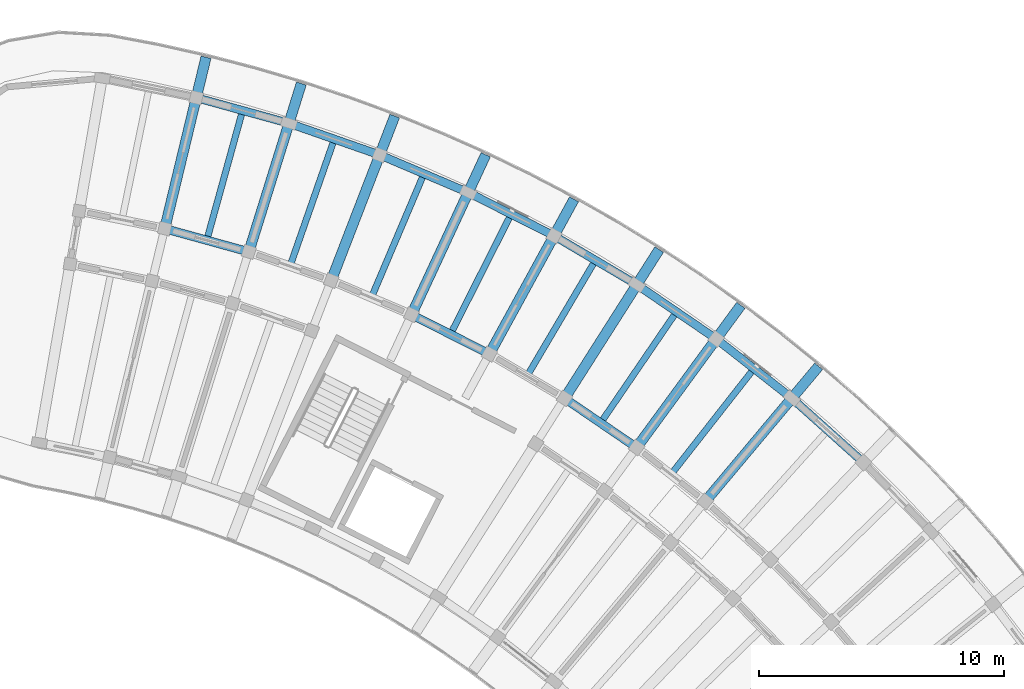
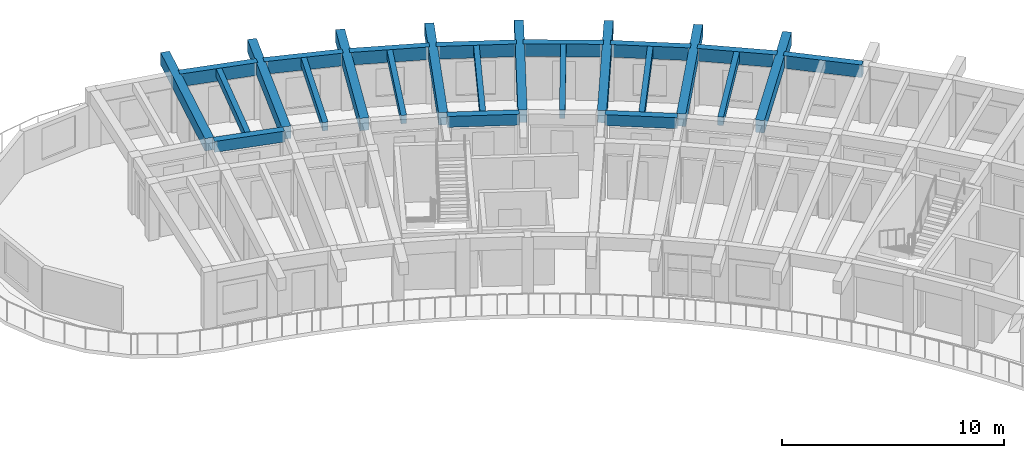
# One storey, part 15 of 56: 26 beams.
"""IFC4 building model written with IfcOpenShell, lengths in metres."""

from ifc_helpers import new_model, si_unit, direction, frame, origin, origin_2d, place, context, subcontext, project, spatial, rectangle, extrude, material, material_profile, profile_set, type_object, element, save


model = new_model("IFC4")

# Units and contexts
model_context = context("Model", 3, precision=1e-05, world=origin(), true_north=direction((0.0, 1.0)))
body_context = subcontext(model_context, "Body", "Model", "MODEL_VIEW")
ifc_project = project(units=[si_unit("LENGTHUNIT", "METRE"), si_unit("AREAUNIT", "SQUARE_METRE"), si_unit("VOLUMEUNIT", "CUBIC_METRE"), si_unit("PLANEANGLEUNIT", "RADIAN"), si_unit("MASSUNIT", "GRAM", prefix="KILO")], contexts=[model_context])

# Site, building, storey
site_placement = place(None, origin())
site = spatial("IfcSite", under=ifc_project, at=site_placement, CompositionType="ELEMENT")
building_placement = place(site_placement, origin())
building = spatial("IfcBuilding", under=site, at=building_placement, Name="Tanwirah Colonnade Gardens", CompositionType="ELEMENT")
storey_placement = place(building_placement, frame((0.0, 0.0, 29.0)))
storey = spatial("IfcBuildingStorey", under=building, at=storey_placement, Name="L08", CompositionType="ELEMENT", Elevation=29.0)

# Beams
ifc_material_1 = material(Name="Precast concrete C40/50", Category="concrete")
ifc_material_profile_1 = material_profile(ifc_material_1, rectangle(XDim=0.35009765625, YDim=0.60009765625, at=origin_2d()), Name="PC-BM 350x600")
ifc_profile_set_1 = profile_set([ifc_material_profile_1], Name="Precast concrete C40/50")
beam_type_1 = type_object("IfcBeamType", Name="BM-PC350B", PredefinedType="BEAM", material=ifc_profile_set_1)
for number, where, z_axis, x_axis, name in (
    (1, (152.815185546875, 103.888427734375, 2.81494140625), (-0.825782284145, 0.563989024, 0.0), (-0.563989024, -0.825782284145, 0.0), "Block B L08 Circumferential Beam 10-R2"),
    (2, (146.794677734375, 107.6923828125, 2.81494140625), (-0.89276014323, 0.450532270387, 0.0), (-0.450532270387, -0.89276014323, 0.0), "Block B L08 Circumferential Beam 12-R2"),
    (3, (136.95849609375, 111.83544921875, 2.81494140625), (-0.9638953302, 0.266281415833, 0.0), (-0.266281415833, -0.9638953302, 0.0), "Block B L08 Circumferential Beam 15-R2"),
):
    element("IfcBeam", number, at=place(storey_placement, frame(where, z_axis=z_axis, x_axis=x_axis)), inside=storey, type_object=beam_type_1, Name=name, PredefinedType="BEAM", context=body_context, shape_type="SweptSolid", body=[
        extrude(rectangle(XDim=0.35009765625, YDim=0.60009765625, at=origin_2d()), origin(), (0.0, 0.0, 1.0), 3.26318359375),
    ])
ifc_material_2 = material(Name="Precast concrete C45/55", Category="concrete")
ifc_material_profile_2 = material_profile(ifc_material_2, rectangle(XDim=0.419921875, YDim=0.679931640625, at=origin_2d()), Name="PC-BM 420x680")
ifc_profile_set_2 = profile_set([ifc_material_profile_2], Name="Precast concrete C45/55")
beam_type_2 = type_object("IfcBeamType", Name="BM-PC420", PredefinedType="BEAM", material=ifc_profile_set_2)
beam_1_placement = place(storey_placement, frame((155.839111328125, 101.7197265625, 2.77490234375), z_axis=(0.642810291951, 0.766025409867, 0.0), x_axis=(-0.766025409867, 0.642810291951, 0.0)))
element("IfcBeam", 4, at=beam_1_placement, inside=storey, type_object=beam_type_2, Name="Block B L08 Outer Radial Precast Girder 9", PredefinedType="BEAM", context=body_context, shape_type="SweptSolid", body=[
    extrude(rectangle(XDim=0.419921875, YDim=0.679931640625, at=origin_2d()), origin(), (0.0, 0.0, 1.0), 7.0498046875),
])
for number, where, z_axis, x_axis, name in (
    (5, (153.02783203125, 103.9248046875, 2.77490234375), (0.590919194225, 0.806730751798, 0.0), (-0.806730751798, 0.590919194225, 0.0), "Block B L08 Outer Radial Precast Girder 10"),
    (6, (150.077392578125, 105.93994140625, 2.77490234375), (0.536451921133, 0.843930883611, 0.0), (-0.843930883611, 0.536451921133, 0.0), "Block B L08 Outer Radial Precast Girder 11"),
    (7, (147.00048828125, 107.75634765625, 2.77490234375), (0.479686549155, 0.877439920769, 0.0), (-0.877439920769, 0.479686549155, 0.0), "Block B L08 Outer Radial Precast Girder 12"),
    (8, (143.810546875, 109.3662109375, 2.77490234375), (0.420855908645, 0.9071275016, 0.0), (-0.9071275016, 0.420855908645, 0.0), "Block B L08 Outer Radial Precast Girder 13"),
    (9, (140.521728515625, 110.76220703125, 2.77490234375), (0.360150678391, 0.932894146651, 0.0), (-0.932894146651, 0.360150678391, 0.0), "Block B L08 Outer Radial Precast Girder 14"),
    (10, (137.147705078125, 111.938720703125, 2.77490234375), (0.297957513373, 0.954579132511, 0.0), (-0.954579132511, 0.297957513373, 0.0), "Block B L08 Outer Radial Precast Girder 15"),
):
    element("IfcBeam", number, at=place(storey_placement, frame(where, z_axis=z_axis, x_axis=x_axis)), inside=storey, type_object=beam_type_2, Name=name, PredefinedType="BEAM", context=body_context, shape_type="SweptSolid", body=[
        extrude(rectangle(XDim=0.419921875, YDim=0.679931640625, at=origin_2d()), origin(), (0.0, 0.0, 1.0), 7.050048828125),
    ])
beam_2_placement = place(storey_placement, frame((133.703857421875, 112.89013671875, 2.77490234375), z_axis=(0.234378734126, 0.972145364125, 0.0), x_axis=(-0.972145364125, 0.234378734126, 0.0)))
element("IfcBeam", 11, at=beam_2_placement, inside=storey, type_object=beam_type_2, Name="Block B L08 Outer Radial Precast Girder 16", PredefinedType="BEAM", context=body_context, shape_type="SweptSolid", body=[
    extrude(rectangle(XDim=0.419921875, YDim=0.679931640625, at=origin_2d()), origin(), (0.0, 0.0, 1.0), 7.0498046875),
])
ifc_material_profile_3 = material_profile(ifc_material_1, rectangle(XDim=0.260009765625, YDim=0.4599609375, at=origin_2d()), Name="PC-JST 260x460")
ifc_profile_set_3 = profile_set([ifc_material_profile_3], Name="Precast concrete C40/50")
beam_type_3 = type_object("IfcBeamType", Name="JST-PC260", PredefinedType="JOIST", material=ifc_profile_set_3)
for number, where, z_axis, x_axis, name in (
    (12, (154.43310546875, 102.82177734375, 2.885009765625), (0.617177687243, 0.786823806433, 0.0), (-0.786823806433, 0.617177687243, 0.0), "Block B L08 Precast Floor Joist 9"),
    (13, (151.55224609375, 104.931884765625, 2.885009765625), (0.563973225998, 0.825793073571, 0.0), (-0.825793073571, 0.563973225998, 0.0), "Block B L08 Precast Floor Joist 10"),
):
    element("IfcBeam", number, at=place(storey_placement, frame(where, z_axis=z_axis, x_axis=x_axis)), inside=storey, type_object=beam_type_3, Name=name, PredefinedType="JOIST", context=body_context, shape_type="SweptSolid", body=[
        extrude(rectangle(XDim=0.260009765625, YDim=0.4599609375, at=origin_2d()), origin(), (0.0, 0.0, 1.0), 5.260009765625),
    ])
for number, where, z_axis, x_axis, name in (
    (14, (148.53857421875, 106.84765625, 2.885009765625), (0.508360236823, 0.86114451146, 0.0), (-0.86114451146, 0.508360236823, 0.0), "Block B L08 Precast Floor Joist 11"),
    (15, (145.4052734375, 108.560791015625, 2.885009765625), (0.450533699488, 0.892759422031, 0.0), (-0.892759422031, 0.450533699488, 0.0), "Block B L08 Precast Floor Joist 12"),
):
    element("IfcBeam", number, at=place(storey_placement, frame(where, z_axis=z_axis, x_axis=x_axis)), inside=storey, type_object=beam_type_3, Name=name, PredefinedType="JOIST", context=body_context, shape_type="SweptSolid", body=[
        extrude(rectangle(XDim=0.260009765625, YDim=0.4599609375, at=origin_2d()), origin(), (0.0, 0.0, 1.0), 5.26025390625),
    ])
for number, where, z_axis, x_axis, name in (
    (16, (142.166015625, 110.063720703125, 2.885009765625), (0.390723870106, 0.92050793442, 0.0), (-0.92050793442, 0.390723870106, 0.0), "Block B L08 Precast Floor Joist 13"),
    (17, (138.83447265625, 111.349853515625, 2.885009765625), (0.3292586038, 0.944239785131, 0.0), (-0.944239785131, 0.3292586038, 0.0), "Block B L08 Precast Floor Joist 14"),
    (18, (135.42578125, 112.413818359375, 2.885009765625), (0.266281476085, 0.963895313555, 0.0), (-0.963895313555, 0.266281476085, 0.0), "Block B L08 Precast Floor Joist 15"),
):
    element("IfcBeam", number, at=place(storey_placement, frame(where, z_axis=z_axis, x_axis=x_axis)), inside=storey, type_object=beam_type_3, Name=name, PredefinedType="JOIST", context=body_context, shape_type="SweptSolid", body=[
        extrude(rectangle(XDim=0.260009765625, YDim=0.4599609375, at=origin_2d()), origin(), (0.0, 0.0, 1.0), 5.260009765625),
    ])
ifc_material_profile_4 = material_profile(ifc_material_1, rectangle(XDim=0.3349609375, YDim=0.695068359375, at=origin_2d()), Name="PC-SP 335x695")
ifc_profile_set_4 = profile_set([ifc_material_profile_4], Name="Precast concrete C40/50")
beam_type_4 = type_object("IfcBeamType", Name="SP-PC300", PredefinedType="SPANDREL", material=ifc_profile_set_4)
beam_3_placement = place(storey_placement, frame((162.0888671875, 103.296875, 2.767578125), z_axis=(-0.744444790955, 0.667684021989, 0.0), x_axis=(-0.667684021989, -0.744444790955, 0.0)))
element("IfcBeam", 19, at=beam_3_placement, inside=storey, type_object=beam_type_4, Name="Block B L08 Circumferential Beam 8-R3", PredefinedType="SPANDREL", context=body_context, shape_type="SweptSolid", body=[
    extrude(rectangle(XDim=0.3349609375, YDim=0.695068359375, at=origin_2d()), origin(), (0.0, 0.0, 1.0), 3.625732421875),
])
beam_4_placement = place(storey_placement, frame((159.159912109375, 105.91064453125, 2.767578125), z_axis=(-0.786843799845, 0.617152197311, 0.0), x_axis=(-0.617152197311, -0.786843799845, 0.0)))
element("IfcBeam", 20, at=beam_4_placement, inside=storey, type_object=beam_type_4, Name="Block B L08 Circumferential Beam 9-R3", PredefinedType="SPANDREL", context=body_context, shape_type="SweptSolid", body=[
    extrude(rectangle(XDim=0.3349609375, YDim=0.695068359375, at=origin_2d()), origin(), (0.0, 0.0, 1.0), 3.62548828125),
])
for number, where, z_axis, x_axis, name in (
    (21, (156.0654296875, 108.325439453125, 2.767578125), (-0.825782625102, 0.563988524776, 0.0), (-0.563988524776, -0.825782625102, 0.0), "Block B L08 Circumferential Beam 10-R3"),
    (22, (152.818359375, 110.53125, 2.767578125), (-0.861136912545, 0.5083731089, 0.0), (-0.5083731089, -0.861136912545, 0.0), "Block B L08 Circumferential Beam 11-R3"),
):
    element("IfcBeam", number, at=place(storey_placement, frame(where, z_axis=z_axis, x_axis=x_axis)), inside=storey, type_object=beam_type_4, Name=name, PredefinedType="SPANDREL", context=body_context, shape_type="SweptSolid", body=[
        extrude(rectangle(XDim=0.3349609375, YDim=0.695068359375, at=origin_2d()), origin(), (0.0, 0.0, 1.0), 3.625732421875),
    ])
beam_5_placement = place(storey_placement, frame((149.43310546875, 112.518310546875, 2.767578125), z_axis=(-0.892764670911, 0.450523298368, 0.0), x_axis=(-0.450523298368, -0.892764670911, 0.0)))
element("IfcBeam", 23, at=beam_5_placement, inside=storey, type_object=beam_type_4, Name="Block B L08 Circumferential Beam 12-R3", PredefinedType="SPANDREL", context=body_context, shape_type="SweptSolid", body=[
    extrude(rectangle(XDim=0.3349609375, YDim=0.695068359375, at=origin_2d()), origin(), (0.0, 0.0, 1.0), 3.6259765625),
])
for number, where, z_axis, x_axis, name in (
    (24, (145.924072265625, 114.27783203125, 2.767578125), (-0.920494456807, 0.390755620545, 0.0), (-0.390755620545, -0.920494456807, 0.0), "Block B L08 Circumferential Beam 13-R3"),
    (25, (142.306884765625, 115.802490234375, 2.767578125), (-0.944236700093, 0.329267450863, 0.0), (-0.329267450863, -0.944236700093, 0.0), "Block B L08 Circumferential Beam 14-R3"),
    (26, (138.59716796875, 117.085693359375, 2.767578125), (-0.963888380927, 0.266306569792, 0.0), (-0.266306569792, -0.963888380927, 0.0), "Block B L08 Circumferential Beam 15-R3"),
):
    element("IfcBeam", number, at=place(storey_placement, frame(where, z_axis=z_axis, x_axis=x_axis)), inside=storey, type_object=beam_type_4, Name=name, PredefinedType="SPANDREL", context=body_context, shape_type="SweptSolid", body=[
        extrude(rectangle(XDim=0.3349609375, YDim=0.695068359375, at=origin_2d()), origin(), (0.0, 0.0, 1.0), 3.625732421875),
    ])

save(model, "model.ifc")
